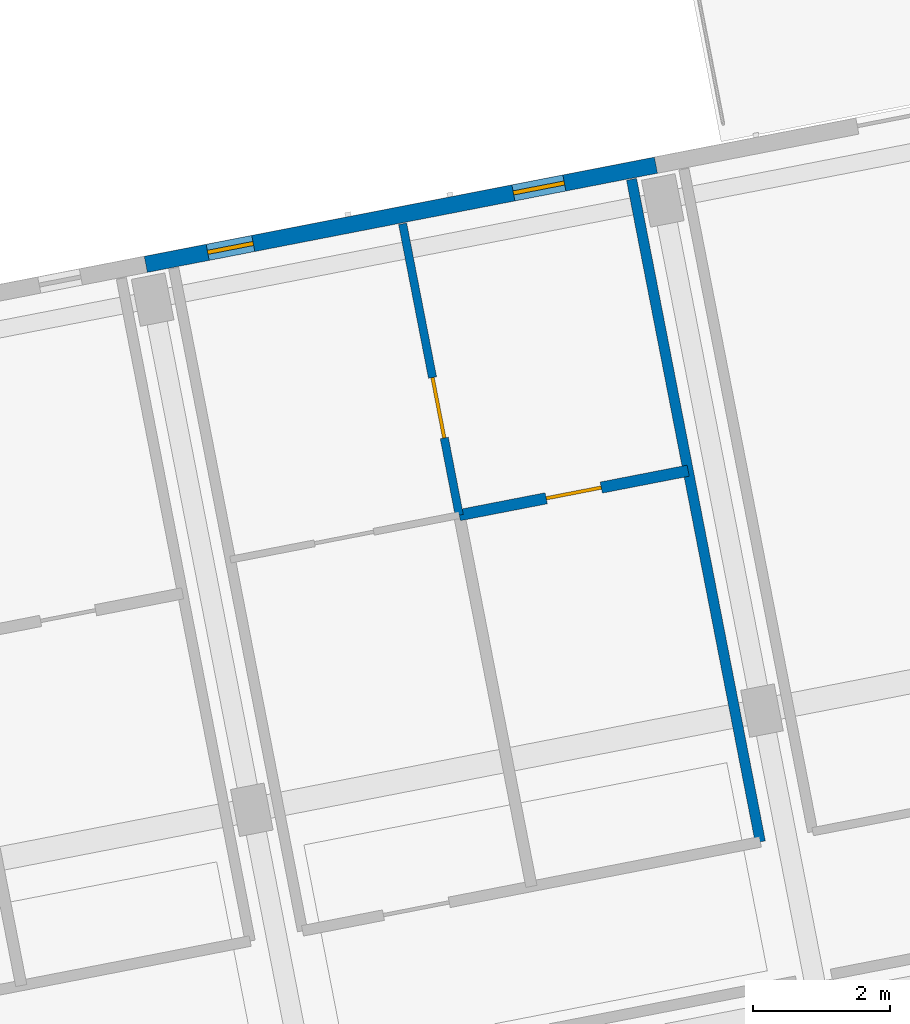
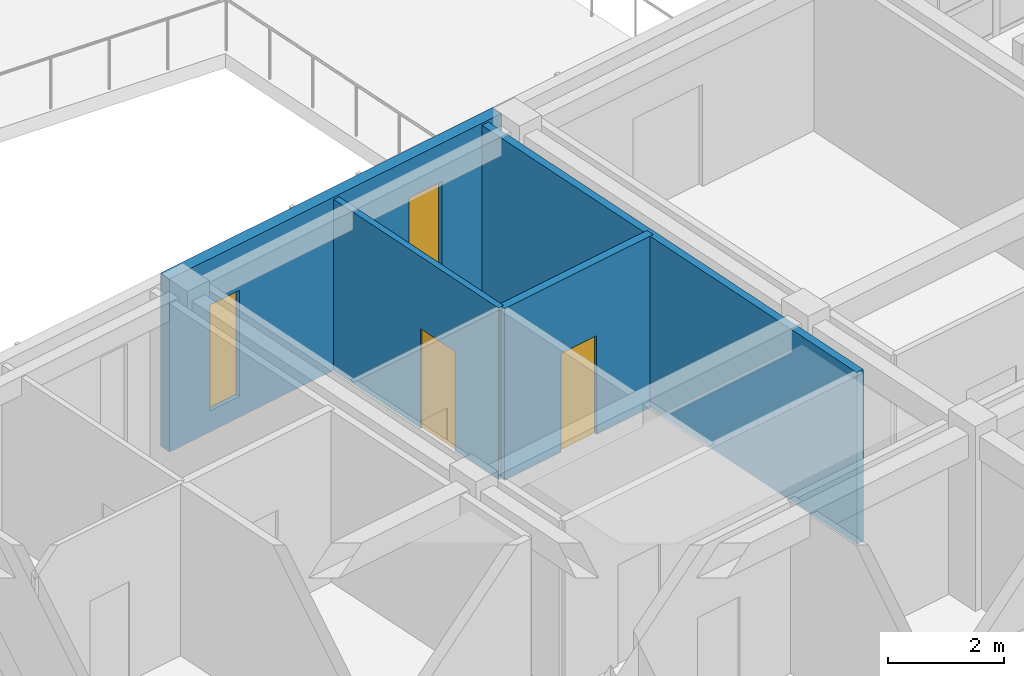
# One storey, part 91 of 150: 4 walls, 2 doors, 2 windows, 4 openings.
"""IFC4 building model written with IfcOpenShell, lengths in metres."""

from ifc_helpers import new_model, si_unit, direction, frame, frame_2d, origin, place, context, subcontext, project, spatial, rectangle, extrude, material, layer, layer_set, type_object, element, fill, save


model = new_model("IFC4")

# Units and contexts
model_context = context("Model", 3, precision=1e-05, world=origin(), true_north=direction((0.0, 1.0)))
body_context = subcontext(model_context, "Body", "Model", "MODEL_VIEW")
ifc_project = project(units=[si_unit("LENGTHUNIT", "METRE"), si_unit("AREAUNIT", "SQUARE_METRE"), si_unit("VOLUMEUNIT", "CUBIC_METRE"), si_unit("PLANEANGLEUNIT", "RADIAN"), si_unit("MASSUNIT", "GRAM", prefix="KILO")], contexts=[model_context])

# Site, building, storey
site_placement = place(None, origin())
site = spatial("IfcSite", under=ifc_project, at=site_placement, CompositionType="ELEMENT")
building_placement = place(site_placement, origin())
building = spatial("IfcBuilding", under=site, at=building_placement, Name="Kestramere Prow Commons", CompositionType="ELEMENT")
storey_placement = place(building_placement, frame((0.0, 0.0, 4.5)))
storey = spatial("IfcBuildingStorey", under=building, at=storey_placement, Name="L01", CompositionType="ELEMENT", Elevation=4.5)

# Wall, openings, windows
ifc_material_1 = material(Name="Fluoropolymer Standing-Seam Zinc-Aluminium Cladding", Category="aluminium")
ifc_layer_1 = layer(ifc_material_1, 0.239990234375)
ifc_layer_set_1 = layer_set([ifc_layer_1], Name="Fluoropolymer Standing-Seam Zinc-Aluminium Cladding")
wall_type_1 = type_object("IfcWallType", Name="EW-SEAM-240", PredefinedType="SOLIDWALL", material=ifc_layer_set_1)
wall_1_placement = place(storey_placement, frame((122.020263671875, 55.205322265625, 0.0), z_axis=(0.0, 0.0, 1.0), x_axis=(0.981626422232, 0.190812911449, 0.0)))
wall_1 = element("IfcWall", 1, at=wall_1_placement, inside=storey, type_object=wall_type_1, Name="Block D L01 North Standing-Seam Wall 2", PredefinedType="SOLIDWALL", context=body_context, shape_type="SweptSolid", body=[
    extrude(rectangle(XDim=7.60009765625, YDim=0.239990234375, at=frame_2d((3.800048828125, 0.0))), origin(), (0.0, 0.0, 1.0), 3.64990234375),
])
opening_1_placement = place(wall_1_placement, frame((0.921630859375, 0.0, 0.43994140625)))
opening_1 = element("IfcOpeningElement", 2, at=opening_1_placement, cuts=wall_1, Name="Opening WN-06", PredefinedType="OPENING", context=body_context, shape_type="SweptSolid", body=[
    extrude(rectangle(XDim=0.679931640625, YDim=2.239990234375, at=frame_2d((0.33984375, 1.1201171875))), frame((0.0, 0.135009765625, 0.0), z_axis=(0.0, -1.0, 0.0), x_axis=(1.0, 0.0, 0.0)), (0.0, 0.0, 1.0), 0.27001953125),
])
opening_2_placement = place(wall_1_placement, frame((5.47607421875, 0.0, 0.5)))
opening_2 = element("IfcOpeningElement", 3, at=opening_2_placement, cuts=wall_1, Name="Opening WN-10", PredefinedType="OPENING", context=body_context, shape_type="SweptSolid", body=[
    extrude(rectangle(XDim=0.760009765625, YDim=2.340087890625, at=frame_2d((0.3798828125, 1.169921875))), frame((0.0, 0.135009765625, 0.0), z_axis=(0.0, -1.0, 0.0), x_axis=(1.0, 0.0, 0.0)), (0.0, 0.0, 1.0), 0.27001953125),
])
ifc_material_2 = material(Name="Low-E Laminated Double Glazing", Category="glass")
window_type_1 = type_object("IfcWindowType", Name="WN-NAR-680A", PartitioningType="SINGLE_PANEL", PredefinedType="WINDOW", material=ifc_material_2)
window_1_placement = place(opening_1_placement, origin())
window_1 = element("IfcWindow", 4, at=window_1_placement, inside=storey, type_object=window_type_1, Name="WN-D-L01-N-1-0", OverallHeight=2.239990234375, OverallWidth=0.679931640625, PartitioningType="SINGLE_PANEL", PredefinedType="WINDOW", context=body_context, shape_type="SweptSolid", body=[
    extrude(rectangle(XDim=0.679931640625, YDim=2.239990234375, at=frame_2d((0.33984375, 1.1201171875))), frame((0.0, 0.030029296875, 0.0), z_axis=(0.0, -1.0, 0.0), x_axis=(1.0, 0.0, 0.0)), (0.0, 0.0, 1.0), 0.06005859375),
])
fill(opening_1, window_1)
window_type_2 = type_object("IfcWindowType", Name="WN-NAR-760A", PartitioningType="SINGLE_PANEL", PredefinedType="WINDOW", material=ifc_material_2)
window_2_placement = place(opening_2_placement, origin())
window_2 = element("IfcWindow", 5, at=window_2_placement, inside=storey, type_object=window_type_2, Name="WN-D-L01-N-1-1", OverallHeight=2.340087890625, OverallWidth=0.760009765625, PartitioningType="SINGLE_PANEL", PredefinedType="WINDOW", context=body_context, shape_type="SweptSolid", body=[
    extrude(rectangle(XDim=0.760009765625, YDim=2.340087890625, at=frame_2d((0.3798828125, 1.169921875))), frame((0.0, 0.030029296875, 0.0), z_axis=(0.0, -1.0, 0.0), x_axis=(1.0, 0.0, 0.0)), (0.0, 0.0, 1.0), 0.06005859375),
])
fill(opening_2, window_2)

# Wall, opening, door
ifc_material_3 = material(Name="Lightweight Blockwork and Plaster", Category="masonry")
ifc_layer_2 = layer(ifc_material_3, 0.1201171875)
ifc_layer_set_2 = layer_set([ifc_layer_2], Name="Lightweight Blockwork and Plaster")
wall_type_2 = type_object("IfcWallType", Name="W-PART-120", PredefinedType="PARTITIONING", material=ifc_layer_set_2)
wall_2_placement = place(storey_placement, frame((126.6044921875, 51.53759765625, 0.0), z_axis=(0.0, 0.0, 1.0), x_axis=(-0.190812443151, 0.981626513262, 0.0)))
wall_2 = element("IfcWall", 6, at=wall_2_placement, inside=storey, type_object=wall_type_2, Name="Interior Partition PW-D-L01-LB-N1", PredefinedType="PARTITIONING", context=body_context, shape_type="SweptSolid", body=[
    extrude(rectangle(XDim=4.340087890625, YDim=0.1201171875, at=frame_2d((2.169921875, 0.0))), origin(), (0.0, 0.0, 1.0), 3.6201171875),
])
opening_3_placement = place(wall_2_placement, frame((1.14990234375, 0.0, 0.0)))
opening_3 = element("IfcOpeningElement", 7, at=opening_3_placement, cuts=wall_2, Name="Opening ID-08", PredefinedType="OPENING", context=body_context, shape_type="SweptSolid", body=[
    extrude(rectangle(XDim=0.89990234375, YDim=2.10009765625, at=frame_2d((0.449951171875, 1.050048828125))), frame((0.0, 0.074951171875, 0.0), z_axis=(0.0, -1.0, 0.0), x_axis=(1.0, 0.0, 0.0)), (0.0, 0.0, 1.0), 0.150146484375),
])
ifc_material_4 = material(Name="Engineered Timber Flush Door", Category="wood")
door_type_1 = type_object("IfcDoorType", Name="D-RM-01", OperationType="NOTDEFINED", PredefinedType="DOOR", material=ifc_material_4)
door_1_placement = place(opening_3_placement, origin())
door_1 = element("IfcDoor", 8, at=door_1_placement, inside=storey, type_object=door_type_1, Name="Interior Door DR-D-L01-BED-N1", OperationType="SINGLE_SWING_LEFT", OverallHeight=2.10009765625, OverallWidth=0.89990234375, PredefinedType="DOOR", context=body_context, shape_type="SweptSolid", body=[
    extrude(rectangle(XDim=0.89990234375, YDim=2.10009765625, at=frame_2d((0.449951171875, 1.050048828125))), frame((0.0, 0.02490234375, 0.0), z_axis=(0.0, -1.0, 0.0), x_axis=(1.0, 0.0, 0.0)), (0.0, 0.0, 1.0), 0.050048828125),
])
fill(opening_3, door_1)

# Wall
ifc_material_5 = material(Name="Masonry Compartment Wall", Category="masonry")
ifc_layer_3 = layer(ifc_material_5, 0.14990234375)
ifc_layer_set_3 = layer_set([ifc_layer_3], Name="Masonry Compartment Wall")
wall_type_3 = type_object("IfcWallType", Name="W-PART-150", PredefinedType="PARTITIONING", material=ifc_layer_set_3)
wall_3_placement = place(storey_placement, frame((131.0068359375, 46.760009765625, 0.0), z_axis=(0.0, 0.0, 1.0), x_axis=(-0.190809410863, 0.981627102685, 0.0)))
element("IfcWall", 9, at=wall_3_placement, inside=storey, type_object=wall_type_3, Name="Interior Partition PW-D-L01-NWR-1", PredefinedType="PARTITIONING", context=body_context, shape_type="SweptSolid", body=[
    extrude(rectangle(XDim=9.8701171875, YDim=0.14990234375, at=frame_2d((4.93505859375, 0.0))), origin(), (0.0, 0.0, 1.0), 3.6201171875),
])

# Wall, opening, door
ifc_material_6 = material(Name="Waterproof Sanitary Masonry Wall", Category="masonry")
ifc_layer_4 = layer(ifc_material_6, 0.1650390625)
ifc_layer_set_4 = layer_set([ifc_layer_4], Name="Waterproof Sanitary Masonry Wall")
wall_type_4 = type_object("IfcWallType", Name="W-PLUMB-150", PredefinedType="PLUMBINGWALL", material=ifc_layer_set_4)
wall_4_placement = place(storey_placement, frame((126.6044921875, 51.53759765625, 0.0), z_axis=(0.0, 0.0, 1.0), x_axis=(0.98162656706, 0.190812166391, 0.0)))
wall_4 = element("IfcWall", 10, at=wall_4_placement, inside=storey, type_object=wall_type_4, Name="Interior Partition PW-D-L01-MIDN2-1", PredefinedType="PLUMBINGWALL", context=body_context, shape_type="SweptSolid", body=[
    extrude(rectangle(XDim=3.409912109375, YDim=0.1650390625, at=frame_2d((1.705078125, 0.0))), origin(), (0.0, 0.0, 1.0), 3.6201171875),
])
opening_4_placement = place(wall_4_placement, frame((1.294921875, 0.0, 0.0)))
opening_4 = element("IfcOpeningElement", 11, at=opening_4_placement, cuts=wall_4, Name="Opening ID-11", PredefinedType="OPENING", context=body_context, shape_type="SweptSolid", body=[
    extrude(rectangle(XDim=0.820068359375, YDim=2.080078125, at=frame_2d((0.41015625, 1.0400390625))), frame((0.0, 0.097412109375, 0.0), z_axis=(0.0, -1.0, 0.0), x_axis=(1.0, 0.0, 0.0)), (0.0, 0.0, 1.0), 0.195068359375),
])
ifc_material_7 = material(Name="Moisture-Resistant Timber Bathroom Door", Category="wood")
door_type_2 = type_object("IfcDoorType", Name="D-BT-01", OperationType="NOTDEFINED", PredefinedType="DOOR", material=ifc_material_7)
door_2_placement = place(opening_4_placement, origin())
door_2 = element("IfcDoor", 12, at=door_2_placement, inside=storey, type_object=door_type_2, Name="Interior Door DR-D-L01-BTH-N1", OperationType="SINGLE_SWING_RIGHT", OverallHeight=2.080078125, OverallWidth=0.820068359375, PredefinedType="DOOR", context=body_context, shape_type="SweptSolid", body=[
    extrude(rectangle(XDim=0.820068359375, YDim=2.080078125, at=frame_2d((0.41015625, 1.0400390625))), frame((0.0, 0.02490234375, 0.0), z_axis=(0.0, -1.0, 0.0), x_axis=(1.0, 0.0, 0.0)), (0.0, 0.0, 1.0), 0.050048828125),
])
fill(opening_4, door_2)

save(model, "model.ifc")
